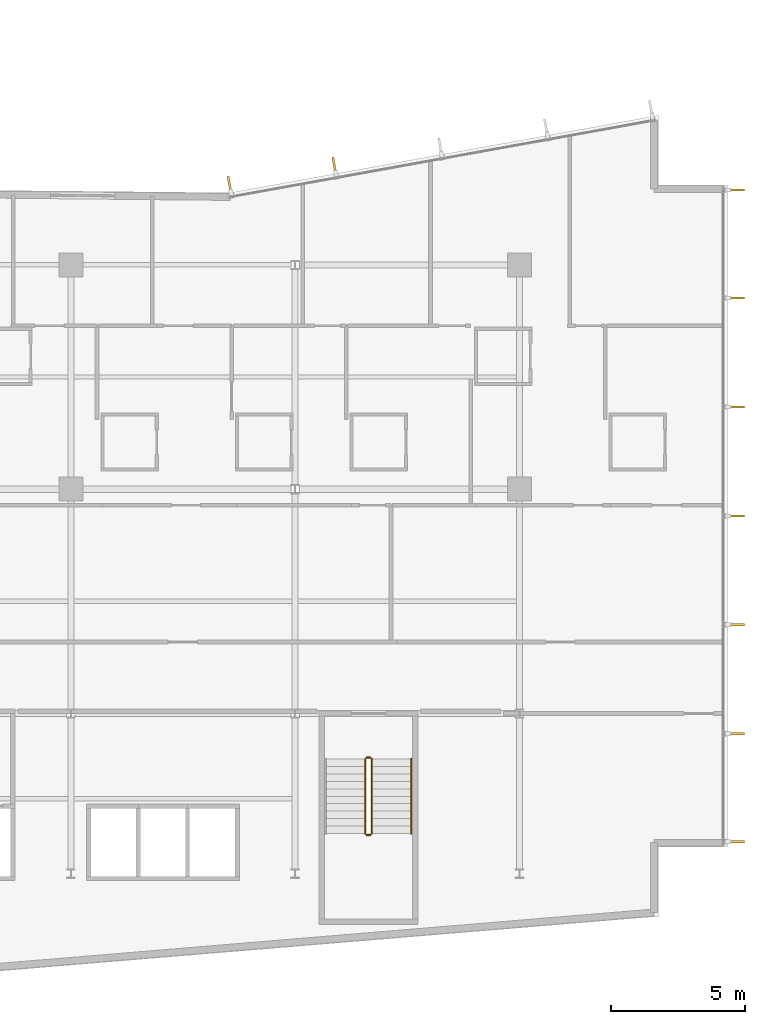
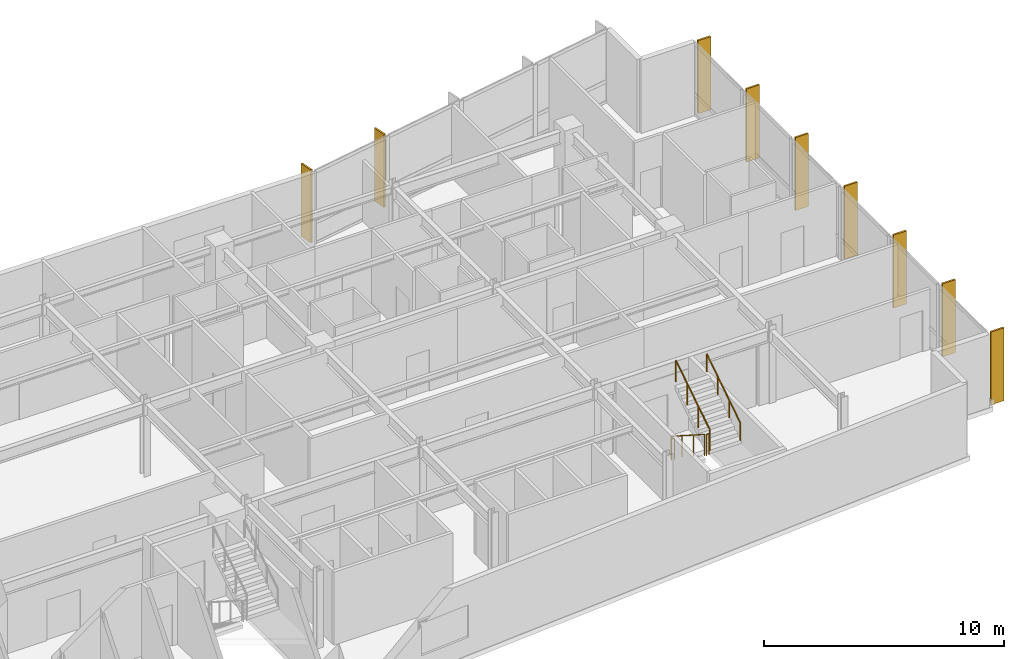
# One storey, part 20 of 22: 9 shading devices, 5 railings.
"""IFC4 building model written with IfcOpenShell, lengths in metres."""

from ifc_helpers import new_model, si_unit, direction, frame, origin, origin_2d, place, context, subcontext, project, spatial, rectangle, circle, extrude, material, layer, layer_set, type_object, element, save


model = new_model("IFC4")

# Units and contexts
model_context = context("Model", 3, precision=1e-05, world=origin(), true_north=direction((0.0, 1.0)))
body_context = subcontext(model_context, "Body", "Model", "MODEL_VIEW")
ifc_project = project(units=[si_unit("LENGTHUNIT", "METRE"), si_unit("AREAUNIT", "SQUARE_METRE"), si_unit("VOLUMEUNIT", "CUBIC_METRE"), si_unit("PLANEANGLEUNIT", "RADIAN"), si_unit("MASSUNIT", "GRAM", prefix="KILO")], contexts=[model_context])

# Site, building, storey
site_placement = place(None, origin())
site = spatial("IfcSite", under=ifc_project, at=site_placement, CompositionType="ELEMENT")
building_placement = place(site_placement, origin())
building = spatial("IfcBuilding", under=site, at=building_placement, Name="Varnakote Quay Hospital", CompositionType="ELEMENT")
storey_placement = place(building_placement, frame((0.0, 0.0, 62.0)))
storey = spatial("IfcBuildingStorey", under=building, at=storey_placement, Name="L15", CompositionType="ELEMENT", Elevation=62.0)

# Railings
ifc_material_1 = material(Name="Brushed stainless steel balustrade", Category="steel")
railing_type_1 = type_object("IfcRailingType", Name="RLG-STAIR-GUARD-1150", PredefinedType="GUARDRAIL", material=ifc_material_1)
railing_1_placement = place(storey_placement, frame((44.6298828125, 10.300048828125, 0.179443359375)))
element("IfcRailing", 1, at=railing_1_placement, inside=storey, type_object=railing_type_1, Name="L15 ST-03 stair guard 1", PredefinedType="GUARDRAIL", context=body_context, shape_type="SweptSolid", body=[
    extrude(circle(Radius=0.02392578125, at=origin_2d()), frame((0.0, 0.0, 1.076171875), z_axis=(0.0, -0.841776520102, 0.539826166654), x_axis=(1.0, 0.0, 0.0)), (0.0, 0.0, 1.0), 3.326416015625),
    extrude(circle(Radius=0.02099609375, at=origin_2d()), origin(), (0.0, 0.0, 1.0), 1.052001953125),
    extrude(circle(Radius=0.02099609375, at=origin_2d()), frame((0.0, -0.933349609375, 0.5986328125)), (0.0, 0.0, 1.0), 1.052001953125),
    extrude(circle(Radius=0.02099609375, at=origin_2d()), frame((0.0, -1.86669921875, 1.197021484375)), (0.0, 0.0, 1.0), 1.052001953125),
    extrude(circle(Radius=0.02099609375, at=origin_2d()), frame((0.0, -2.800048828125, 1.795654296875)), (0.0, 0.0, 1.0), 1.052001953125),
])
railing_2_placement = place(storey_placement, frame((44.679931640625, 7.449951171875, 1.97509765625)))
element("IfcRailing", 2, at=railing_2_placement, inside=storey, type_object=railing_type_1, Name="L15 ST-03 stair guard 2", PredefinedType="GUARDRAIL", context=body_context, shape_type="SweptSolid", body=[
    extrude(circle(Radius=0.02392578125, at=origin_2d()), frame((0.0, 0.0, 1.076171875), z_axis=(1.0, 0.0, 0.0), x_axis=(0.0, 1.0, 0.0)), (0.0, 0.0, 1.0), 0.14013671875),
    extrude(circle(Radius=0.02099609375, at=origin_2d()), origin(), (0.0, 0.0, 1.0), 1.052001953125),
    extrude(circle(Radius=0.02099609375, at=origin_2d()), frame((0.14013671875, 0.0, 0.0)), (0.0, 0.0, 1.0), 1.052001953125),
])
railing_3_placement = place(storey_placement, frame((44.8701171875, 7.5, 2.154541015625)))
element("IfcRailing", 3, at=railing_3_placement, inside=storey, type_object=railing_type_1, Name="L15 ST-03 stair guard 3", PredefinedType="GUARDRAIL", context=body_context, shape_type="SweptSolid", body=[
    extrude(circle(Radius=0.02392578125, at=origin_2d()), frame((0.0, 0.0, 1.076171875), z_axis=(0.0, 0.841809871826, 0.539774156196), x_axis=(-1.0, 0.0, 0.0)), (0.0, 0.0, 1.0), 3.326171875),
    extrude(circle(Radius=0.02099609375, at=origin_2d()), origin(), (0.0, 0.0, 1.0), 1.052001953125),
    extrude(circle(Radius=0.02099609375, at=origin_2d()), frame((0.0, 0.933349609375, 0.598388671875)), (0.0, 0.0, 1.0), 1.052001953125),
    extrude(circle(Radius=0.02099609375, at=origin_2d()), frame((0.0, 1.86669921875, 1.197021484375)), (0.0, 0.0, 1.0), 1.052001953125),
    extrude(circle(Radius=0.02099609375, at=origin_2d()), frame((0.0, 2.800048828125, 1.79541015625)), (0.0, 0.0, 1.0), 1.052001953125),
])
railing_4_placement = place(storey_placement, frame((44.679931640625, 10.35009765625, 0.0)))
element("IfcRailing", 4, at=railing_4_placement, inside=storey, type_object=railing_type_1, Name="L15 ST-03 stair guard 4", PredefinedType="GUARDRAIL", context=body_context, shape_type="SweptSolid", body=[
    extrude(circle(Radius=0.02392578125, at=origin_2d()), frame((0.0, 0.0, 1.076171875), z_axis=(1.0, 0.0, 0.0), x_axis=(0.0, 1.0, 0.0)), (0.0, 0.0, 1.0), 0.14013671875),
    extrude(circle(Radius=0.02099609375, at=origin_2d()), origin(), (0.0, 0.0, 1.0), 1.052001953125),
    extrude(circle(Radius=0.02099609375, at=origin_2d()), frame((0.14013671875, 0.0, 0.0)), (0.0, 0.0, 1.0), 1.052001953125),
])
ifc_material_2 = material(Name="Brushed stainless steel handrail", Category="steel")
railing_type_2 = type_object("IfcRailingType", Name="RLG-STAIR-HND-920", PredefinedType="HANDRAIL", material=ifc_material_2)
railing_5_placement = place(storey_placement, frame((46.35009765625, 7.5, 2.154541015625)))
element("IfcRailing", 5, at=railing_5_placement, inside=storey, type_object=railing_type_2, Name="L15 ST-03 stair handrail 2", PredefinedType="HANDRAIL", context=body_context, shape_type="SweptSolid", body=[
    extrude(circle(Radius=0.02392578125, at=origin_2d()), frame((0.0, 0.0, 0.8759765625), z_axis=(0.0, 0.841809871826, 0.539774156196), x_axis=(-1.0, 0.0, 0.0)), (0.0, 0.0, 1.0), 3.326171875),
    extrude(circle(Radius=0.02099609375, at=origin_2d()), origin(), (0.0, 0.0, 1.0), 0.851806640625),
    extrude(circle(Radius=0.02099609375, at=origin_2d()), frame((0.0, 0.933349609375, 0.598388671875)), (0.0, 0.0, 1.0), 0.851806640625),
    extrude(circle(Radius=0.02099609375, at=origin_2d()), frame((0.0, 1.86669921875, 1.197021484375)), (0.0, 0.0, 1.0), 0.851806640625),
    extrude(circle(Radius=0.02099609375, at=origin_2d()), frame((0.0, 2.800048828125, 1.79541015625)), (0.0, 0.0, 1.0), 0.851806640625),
])

# Shading devices
ifc_material_3 = material(Name="Anodised aluminium 6063-T6 Bronze", Category="aluminium")
ifc_layer = layer(ifc_material_3, 0.0849609375)
ifc_layer_set = layer_set([ifc_layer], Name="Anodised aluminium 6063-T6 Bronze")
shading_device_type = type_object("IfcShadingDeviceType", Name="SHD-BRONZE-FIN-620", PredefinedType="USERDEFINED", material=ifc_layer_set)
for number, where, z_axis, x_axis, name in (
    (6, (58.510009765625, 7.197509765625, 0.0), (0.0, 0.0, 1.0), (-1.0, 0.0, 0.0), "L15 Anodised Bronze Vertical Shading FIN"),
    (7, (58.510009765625, 11.239990234375, 0.0), (0.0, 0.0, 1.0), (-1.0, 0.0, 0.0), "L15 Anodised Bronze Vertical Shading FIN"),
    (8, (58.510009765625, 15.320068359375, 0.0), (0.0, 0.0, 1.0), (-1.0, 0.0, 0.0), "L15 Anodised Bronze Vertical Shading FIN"),
    (9, (58.510009765625, 19.39990234375, 0.0), (0.0, 0.0, 1.0), (-1.0, 0.0, 0.0), "L15 Anodised Bronze Vertical Shading FIN"),
    (10, (58.510009765625, 23.47998046875, 0.0), (0.0, 0.0, 1.0), (-1.0, 0.0, 0.0), "L15 Anodised Bronze Vertical Shading FIN"),
    (11, (58.510009765625, 27.56005859375, 0.0), (0.0, 0.0, 1.0), (-1.0, 0.0, 0.0), "L15 Anodised Bronze Vertical Shading FIN"),
    (12, (58.510009765625, 31.6025390625, 0.0), (0.0, 0.0, 1.0), (-1.0, 0.0, 0.0), "L15 Anodised Bronze Vertical Shading FIN"),
    (13, (43.468505859375, 32.522705078125, 0.0), (0.0, 0.0, 1.0), (0.177771795263, -0.984071739666, 0.0), "L15 Anodised Bronze Vertical Shading FIN"),
    (14, (39.54296875, 31.81298828125, 0.0), (0.0, 0.0, 1.0), (0.177771795263, -0.984071739666, 0.0), "L15 Anodised Bronze Vertical Shading FIN"),
):
    element("IfcShadingDevice", number, at=place(storey_placement, frame(where, z_axis=z_axis, x_axis=x_axis)), inside=storey, type_object=shading_device_type, Name=name, ObjectType="FIN", PredefinedType="USERDEFINED", context=body_context, shape_type="SweptSolid", body=[
        extrude(rectangle(XDim=0.6201171875, YDim=0.0849609375, at=origin_2d()), origin(), (0.0, 0.0, 1.0), 3.7099609375),
    ])

save(model, "model.ifc")
